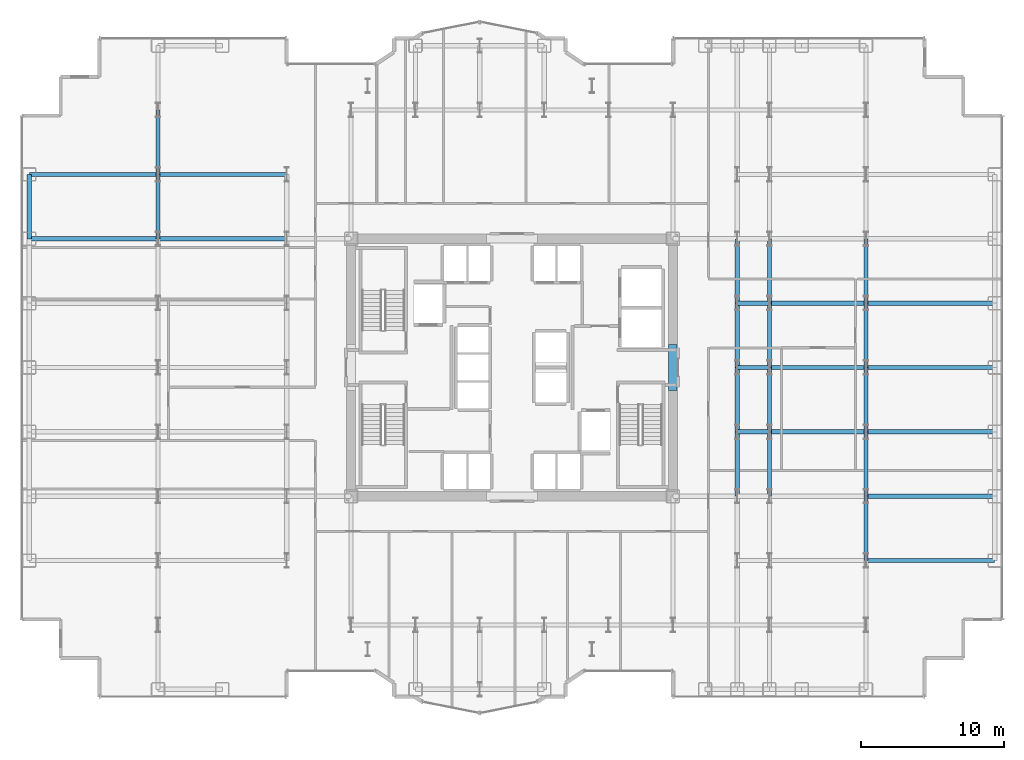
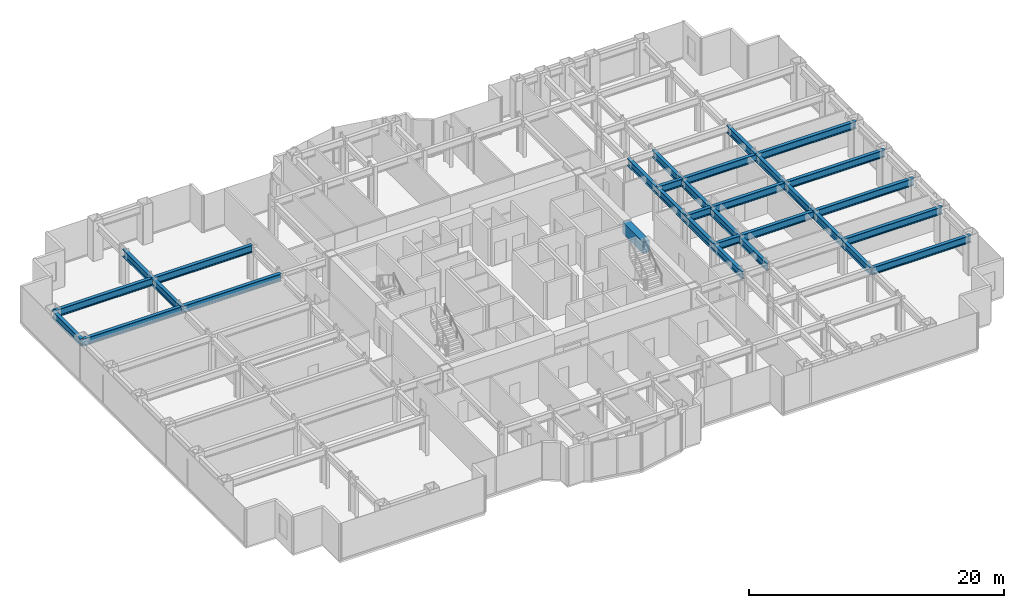
# One storey, part 8 of 25: 32 beams.
"""IFC4 building model written with IfcOpenShell, lengths in metres."""

from ifc_helpers import new_model, si_unit, direction, frame, origin, origin_2d, place, context, subcontext, project, spatial, rectangle, i_section, extrude, source, transform, mapped, material, material_profile, profile_set, type_object, element, save


model = new_model("IFC4")

# Units and contexts
model_context = context("Model", 3, precision=1e-05, world=origin(), true_north=direction((0.0, 1.0)))
body_context = subcontext(model_context, "Body", "Model", "MODEL_VIEW")
ifc_project = project(units=[si_unit("LENGTHUNIT", "METRE"), si_unit("AREAUNIT", "SQUARE_METRE"), si_unit("VOLUMEUNIT", "CUBIC_METRE"), si_unit("PLANEANGLEUNIT", "RADIAN"), si_unit("MASSUNIT", "GRAM", prefix="KILO")], contexts=[model_context])

# Site, building, storey
site_placement = place(None, origin())
site = spatial("IfcSite", under=ifc_project, at=site_placement, CompositionType="ELEMENT")
building_placement = place(site_placement, origin())
building = spatial("IfcBuilding", under=site, at=building_placement, Name="Nefas-Gora Pilgrimage Tower", CompositionType="ELEMENT")
storey_placement = place(building_placement, frame((0.0, 0.0, 52.0)))
storey = spatial("IfcBuildingStorey", under=building, at=storey_placement, Name="L11", CompositionType="ELEMENT", Elevation=52.0)

# Beams
ifc_material_1 = material(Name="Concrete C60/75", Category="concrete")
ifc_material_profile_1 = material_profile(ifc_material_1, rectangle(XDim=0.60009765625, YDim=1.10009765625, at=origin_2d()), Name="RC 600x1100")
ifc_profile_set_1 = profile_set([ifc_material_profile_1], Name="Concrete C60/75")
beam_type_1 = type_object("IfcBeamType", Name="BM-LIN-RC1100", PredefinedType="LINTEL", material=ifc_profile_set_1)
shared_shape_1 = source(origin(), body_context, "Body", "SweptSolid", [
    extrude(rectangle(XDim=0.60009765625, YDim=1.10009765625, at=origin_2d()), origin(), (0.0, 0.0, 1.0), 3.2001953125),
])
beam_1_placement = place(storey_placement, frame((11.25, -1.60009765625, 3.0), z_axis=(0.0, 1.0, 0.0), x_axis=(-1.0, 0.0, 0.0)))
element("IfcBeam", 1, at=beam_1_placement, inside=storey, type_object=beam_type_1, Name="L11 Core Coupling Lintel Beam E", PredefinedType="LINTEL", context=body_context, shape_type="MappedRepresentation", body=[
    mapped(shared_shape_1, transform((0.0, 0.0, 0.0), x_axis=(1.0, 0.0, 0.0), y_axis=(0.0, 1.0, 0.0), z_axis=(0.0, 0.0, 1.0), scale=1.0)),
])
ifc_material_2 = material(Name="Steel S355", Category="steel")
ifc_material_profile_2 = material_profile(ifc_material_2, i_section(OverallWidth=0.300048828125, OverallDepth=0.699951171875, WebThickness=0.01708984375, FlangeThickness=0.031982421875, FilletRadius=0.027099609375, at=origin_2d()), Name="HEB 700")
ifc_profile_set_2 = profile_set([ifc_material_profile_2], Name="Steel S355")
beam_type_2 = type_object("IfcBeamType", Name="BM-SPN-HEB600", PredefinedType="SPANDREL", material=ifc_profile_set_2)
shared_shape_2 = source(origin(), body_context, "Body", "SweptSolid", [
    extrude(i_section(OverallWidth=0.300048828125, OverallDepth=0.699951171875, WebThickness=0.01708984375, FlangeThickness=0.031982421875, FilletRadius=0.027099609375, at=origin_2d()), origin(), (0.0, 0.0, 1.0), 4.5),
])
beam_2_placement = place(storey_placement, frame((-33.75, 9.0, 3.199951171875), z_axis=(0.0, 1.0, 0.0), x_axis=(-1.0, 0.0, 0.0)))
element("IfcBeam", 2, at=beam_2_placement, inside=storey, type_object=beam_type_2, Name="L11 SP-01 beam", PredefinedType="SPANDREL", context=body_context, shape_type="MappedRepresentation", body=[
    mapped(shared_shape_2, transform((0.0, 0.0, 0.0), x_axis=(1.0, 0.0, 0.0), y_axis=(0.0, 1.0, 0.0), z_axis=(0.0, 0.0, 1.0), scale=1.0)),
])
ifc_material_profile_3 = material_profile(ifc_material_2, i_section(OverallWidth=0.300048828125, OverallDepth=0.699951171875, WebThickness=0.01708984375, FlangeThickness=0.031982421875, FilletRadius=0.027099609375, at=origin_2d()), Name="HEB 700")
ifc_profile_set_3 = profile_set([ifc_material_profile_3], Name="Steel S355")
beam_type_3 = type_object("IfcBeamType", Name="BM-GIR-HEB700", PredefinedType="BEAM", material=ifc_profile_set_3)
shared_shape_3 = source(origin(), body_context, "Body", "SweptSolid", [
    extrude(i_section(OverallWidth=0.300048828125, OverallDepth=0.699951171875, WebThickness=0.01708984375, FlangeThickness=0.031982421875, FilletRadius=0.027099609375, at=origin_2d()), origin(), (0.0, 0.0, 1.0), 9.0),
])
for number, where, z_axis, x_axis, name in (
    (3, (-33.75, 9.0, 3.199951171875), (1.0, 0.0, 0.0), (0.0, 1.0, 0.0), "L11 G-02 beam"),
    (4, (-33.75, 13.5, 3.199951171875), (1.0, 0.0, 0.0), (0.0, 1.0, 0.0), "L11 G-02 beam"),
    (5, (-24.75, 9.0, 3.199951171875), (1.0, 0.0, 0.0), (0.0, 1.0, 0.0), "L11 G-02 beam"),
    (6, (-24.75, 13.5, 3.199951171875), (1.0, 0.0, 0.0), (0.0, 1.0, 0.0), "L11 G-02 beam"),
    (7, (24.75, -13.5, 3.199951171875), (1.0, 0.0, 0.0), (0.0, 1.0, 0.0), "L11 G-02 beam"),
    (8, (24.75, -9.0, 3.199951171875), (1.0, 0.0, 0.0), (0.0, 1.0, 0.0), "L11 G-02 beam"),
    (9, (24.75, -4.5, 3.199951171875), (1.0, 0.0, 0.0), (0.0, 1.0, 0.0), "L11 G-02 beam"),
    (10, (24.75, 0.0, 3.199951171875), (1.0, 0.0, 0.0), (0.0, 1.0, 0.0), "L11 G-02 beam"),
    (11, (24.75, 4.5, 3.199951171875), (1.0, 0.0, 0.0), (0.0, 1.0, 0.0), "L11 G-02 beam"),
):
    element("IfcBeam", number, at=place(storey_placement, frame(where, z_axis=z_axis, x_axis=x_axis)), inside=storey, type_object=beam_type_3, Name=name, PredefinedType="BEAM", context=body_context, shape_type="MappedRepresentation", body=[
        mapped(shared_shape_3, transform((0.0, 0.0, 0.0), x_axis=(1.0, 0.0, 0.0), y_axis=(0.0, 1.0, 0.0), z_axis=(0.0, 0.0, 1.0), scale=1.0)),
    ])
shared_shape_4 = source(origin(), body_context, "Body", "SweptSolid", [
    extrude(i_section(OverallWidth=0.300048828125, OverallDepth=0.699951171875, WebThickness=0.01708984375, FlangeThickness=0.031982421875, FilletRadius=0.027099609375, at=origin_2d()), origin(), (0.0, 0.0, 1.0), 4.5),
])
for number, where, z_axis, x_axis, name in (
    (12, (-24.75, 9.0, 3.199951171875), (0.0, 1.0, 0.0), (-1.0, 0.0, 0.0), "L11 G-02 beam"),
    (13, (-24.75, 13.5, 3.199951171875), (0.0, 1.0, 0.0), (-1.0, 0.0, 0.0), "L11 G-02 beam"),
    (14, (15.75, -9.0, 3.199951171875), (0.0, 1.0, 0.0), (-1.0, 0.0, 0.0), "L11 G-02 beam"),
    (15, (15.75, -4.5, 3.199951171875), (0.0, 1.0, 0.0), (-1.0, 0.0, 0.0), "L11 G-02 beam"),
    (16, (15.75, 0.0, 3.199951171875), (0.0, 1.0, 0.0), (-1.0, 0.0, 0.0), "L11 G-02 beam"),
    (17, (15.75, 4.5, 3.199951171875), (0.0, 1.0, 0.0), (-1.0, 0.0, 0.0), "L11 G-02 beam"),
    (18, (18.0, -9.0, 3.199951171875), (0.0, 1.0, 0.0), (-1.0, 0.0, 0.0), "L11 G-02 beam"),
    (19, (18.0, -4.5, 3.199951171875), (0.0, 1.0, 0.0), (-1.0, 0.0, 0.0), "L11 G-02 beam"),
    (20, (18.0, 0.0, 3.199951171875), (0.0, 1.0, 0.0), (-1.0, 0.0, 0.0), "L11 G-02 beam"),
    (21, (18.0, 4.5, 3.199951171875), (0.0, 1.0, 0.0), (-1.0, 0.0, 0.0), "L11 G-02 beam"),
    (22, (24.75, -13.5, 3.199951171875), (0.0, 1.0, 0.0), (-1.0, 0.0, 0.0), "L11 G-02 beam"),
    (23, (24.75, -9.0, 3.199951171875), (0.0, 1.0, 0.0), (-1.0, 0.0, 0.0), "L11 G-02 beam"),
    (24, (24.75, -4.5, 3.199951171875), (0.0, 1.0, 0.0), (-1.0, 0.0, 0.0), "L11 G-02 beam"),
    (25, (24.75, 0.0, 3.199951171875), (0.0, 1.0, 0.0), (-1.0, 0.0, 0.0), "L11 G-02 beam"),
    (26, (24.75, 4.5, 3.199951171875), (0.0, 1.0, 0.0), (-1.0, 0.0, 0.0), "L11 G-02 beam"),
):
    element("IfcBeam", number, at=place(storey_placement, frame(where, z_axis=z_axis, x_axis=x_axis)), inside=storey, type_object=beam_type_3, Name=name, PredefinedType="BEAM", context=body_context, shape_type="MappedRepresentation", body=[
        mapped(shared_shape_4, transform((0.0, 0.0, 0.0), x_axis=(1.0, 0.0, 0.0), y_axis=(0.0, 1.0, 0.0), z_axis=(0.0, 0.0, 1.0), scale=1.0)),
    ])
shared_shape_5 = source(origin(), body_context, "Body", "SweptSolid", [
    extrude(i_section(OverallWidth=0.300048828125, OverallDepth=0.699951171875, WebThickness=0.01708984375, FlangeThickness=0.031982421875, FilletRadius=0.027099609375, at=origin_2d()), origin(), (0.0, 0.0, 1.0), 6.75),
])
for number, where, z_axis, x_axis, name in (
    (27, (18.0, -4.5, 3.199951171875), (1.0, 0.0, 0.0), (0.0, 1.0, 0.0), "L11 G-02 beam"),
    (28, (18.0, 0.0, 3.199951171875), (1.0, 0.0, 0.0), (0.0, 1.0, 0.0), "L11 G-02 beam"),
    (29, (18.0, 4.5, 3.199951171875), (1.0, 0.0, 0.0), (0.0, 1.0, 0.0), "L11 G-02 beam"),
):
    element("IfcBeam", number, at=place(storey_placement, frame(where, z_axis=z_axis, x_axis=x_axis)), inside=storey, type_object=beam_type_3, Name=name, PredefinedType="BEAM", context=body_context, shape_type="MappedRepresentation", body=[
        mapped(shared_shape_5, transform((0.0, 0.0, 0.0), x_axis=(1.0, 0.0, 0.0), y_axis=(0.0, 1.0, 0.0), z_axis=(0.0, 0.0, 1.0), scale=1.0)),
    ])
shared_shape_6 = source(origin(), body_context, "Body", "SweptSolid", [
    extrude(i_section(OverallWidth=0.300048828125, OverallDepth=0.699951171875, WebThickness=0.01708984375, FlangeThickness=0.031982421875, FilletRadius=0.027099609375, at=origin_2d()), origin(), (0.0, 0.0, 1.0), 2.25),
])
for number, where, z_axis, x_axis, name in (
    (30, (15.75, -4.5, 3.199951171875), (1.0, 0.0, 0.0), (0.0, 1.0, 0.0), "L11 G-02 beam"),
    (31, (15.75, 0.0, 3.199951171875), (1.0, 0.0, 0.0), (0.0, 1.0, 0.0), "L11 G-02 beam"),
    (32, (15.75, 4.5, 3.199951171875), (1.0, 0.0, 0.0), (0.0, 1.0, 0.0), "L11 G-02 beam"),
):
    element("IfcBeam", number, at=place(storey_placement, frame(where, z_axis=z_axis, x_axis=x_axis)), inside=storey, type_object=beam_type_3, Name=name, PredefinedType="BEAM", context=body_context, shape_type="MappedRepresentation", body=[
        mapped(shared_shape_6, transform((0.0, 0.0, 0.0), x_axis=(1.0, 0.0, 0.0), y_axis=(0.0, 1.0, 0.0), z_axis=(0.0, 0.0, 1.0), scale=1.0)),
    ])

save(model, "model.ifc")
